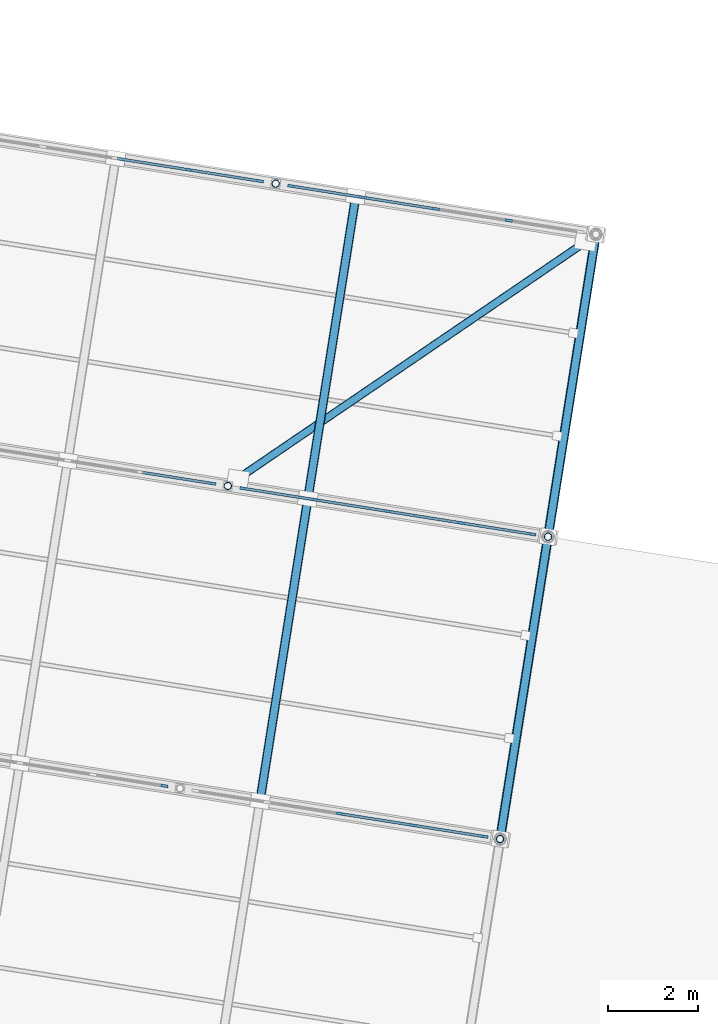
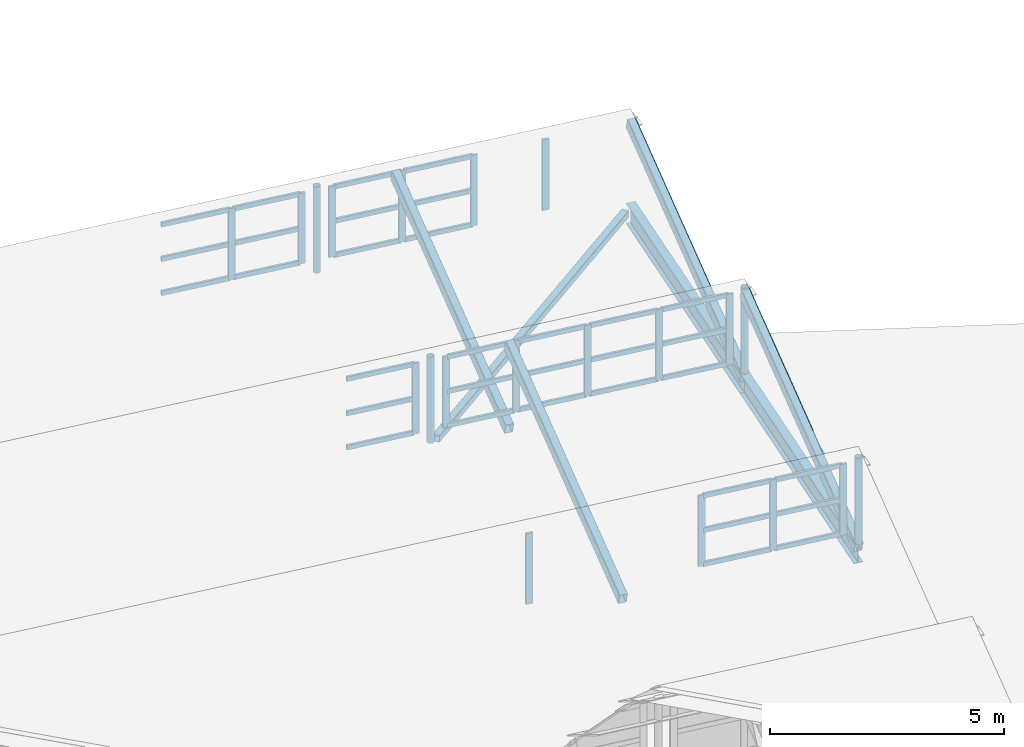
# One storey, part 51 of 65: 58 members, 2 beams, 6 elements without a shape of their own.
"""IFC4 building model written with IfcOpenShell, lengths in metres."""

from ifc_helpers import new_model, si_unit, direction, frame, origin, origin_2d, place, context, subcontext, project, spatial, rectangle, hollow_rectangle, hollow_circle, i_section, extrude, material, material_profile, profile_set, type_object, element, aggregate, save


model = new_model("IFC4")

# Units and contexts
model_context = context("Model", 3, precision=1e-05, world=origin(), true_north=direction((0.0, 1.0)))
body_context = subcontext(model_context, "Body", "Model", "MODEL_VIEW")
ifc_project = project(units=[si_unit("LENGTHUNIT", "METRE"), si_unit("AREAUNIT", "SQUARE_METRE"), si_unit("VOLUMEUNIT", "CUBIC_METRE"), si_unit("PLANEANGLEUNIT", "RADIAN"), si_unit("MASSUNIT", "GRAM", prefix="KILO")], contexts=[model_context])

# Site, building, storey
site_placement = place(None, origin())
site = spatial("IfcSite", under=ifc_project, at=site_placement, CompositionType="ELEMENT")
building_placement = place(site_placement, origin())
building = spatial("IfcBuilding", under=site, at=building_placement, Name="Cinderway Yard Community Centre", CompositionType="ELEMENT")
storey_placement = place(building_placement, frame((0.0, 0.0, 24.300048828125)))
storey = spatial("IfcBuildingStorey", under=building, at=storey_placement, Name="RF", CompositionType="ELEMENT", Elevation=24.300048828125)

# Curtain wall, member
ifc_material_1 = material(Name="Aluminium 6063-T6", Category="aluminium")
curtain_wall_type = type_object("IfcCurtainWallType", Name="ENV-CW-TYPE-23", PredefinedType="USERDEFINED", material=ifc_material_1)
curtain_wall_1_placement = place(storey_placement, origin())
curtain_wall_1 = element("IfcCurtainWall", 1, at=curtain_wall_1_placement, inside=storey, type_object=curtain_wall_type, Name="Sawtooth North-Light Clerestory ENV-CW-RF-ST-0082", ObjectType="GLAZED CURTAIN WALL", PredefinedType="USERDEFINED")
ifc_material_profile_1 = material_profile(ifc_material_1, rectangle(XDim=0.06005859375, YDim=0.159912109375, at=origin_2d()), Name="Aluminium 6063-T6")
ifc_profile_set_1 = profile_set([ifc_material_profile_1], Name="Aluminium 6063-T6")
member_type_1 = type_object("IfcMemberType", Name="ENV-CW-MULL-150", PredefinedType="MULLION", material=ifc_profile_set_1)
member_1_placement = place(storey_placement, frame((136.13232421875, 62.666748046875, -10.199951171875), z_axis=(0.0, 0.0, 1.0), x_axis=(0.156533911189, 0.98767258474, 0.0)))
member_1 = element("IfcMember", 2, at=member_1_placement, type_object=member_type_1, Name="CW-23 mullion 5", PredefinedType="MULLION", context=body_context, shape_type="SweptSolid", body=[
    extrude(rectangle(XDim=0.06005859375, YDim=0.159912109375, at=origin_2d()), origin(), (0.0, 0.0, 1.0), 1.849853515625),
])
aggregate(curtain_wall_1, [member_1])

# Curtain wall, members
curtain_wall_2_placement = place(storey_placement, origin())
curtain_wall_2 = element("IfcCurtainWall", 3, at=curtain_wall_2_placement, inside=storey, type_object=curtain_wall_type, Name="Sawtooth North-Light Clerestory ENV-CW-RF-ST-0083", ObjectType="GLAZED CURTAIN WALL", PredefinedType="USERDEFINED")
member_2_placement = place(storey_placement, frame((140.033447265625, 62.049072265625, -10.199951171875), z_axis=(0.0, 0.0, 1.0), x_axis=(0.15640876877, 0.987692410142, 0.0)))
member_2 = element("IfcMember", 4, at=member_2_placement, type_object=member_type_1, Name="CW-23 mullion 3", PredefinedType="MULLION", context=body_context, shape_type="SweptSolid", body=[
    extrude(rectangle(XDim=0.06005859375, YDim=0.159912109375, at=origin_2d()), origin(), (0.0, 0.0, 1.0), 1.849853515625),
])
member_3_placement = place(storey_placement, frame((141.6533203125, 61.79248046875, -10.199951171875), z_axis=(0.0, 0.0, 1.0), x_axis=(0.15640876877, 0.987692410142, 0.0)))
member_3 = element("IfcMember", 5, at=member_3_placement, type_object=member_type_1, Name="CW-23 mullion 4", PredefinedType="MULLION", context=body_context, shape_type="SweptSolid", body=[
    extrude(rectangle(XDim=0.06005859375, YDim=0.159912109375, at=origin_2d()), origin(), (0.0, 0.0, 1.0), 1.849853515625),
])
member_4_placement = place(storey_placement, frame((143.243408203125, 61.540771484375, -10.199951171875), z_axis=(0.0, 0.0, 1.0), x_axis=(0.15640876877, 0.987692410142, 0.0)))
member_4 = element("IfcMember", 6, at=member_4_placement, type_object=member_type_1, Name="CW-23 mullion 5", PredefinedType="MULLION", context=body_context, shape_type="SweptSolid", body=[
    extrude(rectangle(XDim=0.06005859375, YDim=0.159912109375, at=origin_2d()), origin(), (0.0, 0.0, 1.0), 1.849853515625),
])

# Curtain wall, member
curtain_wall_3_placement = place(storey_placement, origin())
curtain_wall_3 = element("IfcCurtainWall", 7, at=curtain_wall_3_placement, inside=storey, type_object=curtain_wall_type, Name="Sawtooth North-Light Clerestory ENV-CW-RF-ST-0085", ObjectType="GLAZED CURTAIN WALL", PredefinedType="USERDEFINED")
member_5_placement = place(storey_placement, frame((137.1953125, 69.3837890625, -10.199951171875), z_axis=(0.0, 0.0, 1.0), x_axis=(0.15640876877, 0.987692410142, 0.0)))
member_5 = element("IfcMember", 8, at=member_5_placement, type_object=member_type_1, Name="CW-23 mullion 5", PredefinedType="MULLION", context=body_context, shape_type="SweptSolid", body=[
    extrude(rectangle(XDim=0.06005859375, YDim=0.159912109375, at=origin_2d()), origin(), (0.0, 0.0, 1.0), 1.849853515625),
])

# Curtain wall, members
curtain_wall_4_placement = place(storey_placement, origin())
curtain_wall_4 = element("IfcCurtainWall", 9, at=curtain_wall_4_placement, inside=storey, type_object=curtain_wall_type, Name="Sawtooth North-Light Clerestory ENV-CW-RF-ST-0086", ObjectType="GLAZED CURTAIN WALL", PredefinedType="USERDEFINED")
member_6_placement = place(storey_placement, frame((137.88671875, 69.2744140625, -10.199951171875), z_axis=(0.0, 0.0, 1.0), x_axis=(0.156533911189, 0.98767258474, 0.0)))
member_6 = element("IfcMember", 10, at=member_6_placement, type_object=member_type_1, Name="CW-23 mullion 1", PredefinedType="MULLION", context=body_context, shape_type="SweptSolid", body=[
    extrude(rectangle(XDim=0.06005859375, YDim=0.159912109375, at=origin_2d()), origin(), (0.0, 0.0, 1.0), 1.849853515625),
])
member_7_placement = place(storey_placement, frame((139.47705078125, 69.022216796875, -10.199951171875), z_axis=(0.0, 0.0, 1.0), x_axis=(0.156533911189, 0.98767258474, 0.0)))
member_7 = element("IfcMember", 11, at=member_7_placement, type_object=member_type_1, Name="CW-23 mullion 2", PredefinedType="MULLION", context=body_context, shape_type="SweptSolid", body=[
    extrude(rectangle(XDim=0.06005859375, YDim=0.159912109375, at=origin_2d()), origin(), (0.0, 0.0, 1.0), 1.849853515625),
])
member_8_placement = place(storey_placement, frame((141.096923828125, 68.765380859375, -10.199951171875), z_axis=(0.0, 0.0, 1.0), x_axis=(0.156533911189, 0.98767258474, 0.0)))
member_8 = element("IfcMember", 12, at=member_8_placement, type_object=member_type_1, Name="CW-23 mullion 3", PredefinedType="MULLION", context=body_context, shape_type="SweptSolid", body=[
    extrude(rectangle(XDim=0.06005859375, YDim=0.159912109375, at=origin_2d()), origin(), (0.0, 0.0, 1.0), 1.849853515625),
])
member_9_placement = place(storey_placement, frame((142.717041015625, 68.5087890625, -10.199951171875), z_axis=(0.0, 0.0, 1.0), x_axis=(0.156533911189, 0.98767258474, 0.0)))
member_9 = element("IfcMember", 13, at=member_9_placement, type_object=member_type_1, Name="CW-23 mullion 4", PredefinedType="MULLION", context=body_context, shape_type="SweptSolid", body=[
    extrude(rectangle(XDim=0.06005859375, YDim=0.159912109375, at=origin_2d()), origin(), (0.0, 0.0, 1.0), 1.849853515625),
])
member_10_placement = place(storey_placement, frame((144.307373046875, 68.256591796875, -10.199951171875), z_axis=(0.0, 0.0, 1.0), x_axis=(0.156533911189, 0.98767258474, 0.0)))
member_10 = element("IfcMember", 14, at=member_10_placement, type_object=member_type_1, Name="CW-23 mullion 5", PredefinedType="MULLION", context=body_context, shape_type="SweptSolid", body=[
    extrude(rectangle(XDim=0.06005859375, YDim=0.159912109375, at=origin_2d()), origin(), (0.0, 0.0, 1.0), 1.849853515625),
])

curtain_wall_5_placement = place(storey_placement, origin())
curtain_wall_5 = element("IfcCurtainWall", 15, at=curtain_wall_5_placement, inside=storey, type_object=curtain_wall_type, Name="Sawtooth North-Light Clerestory ENV-CW-RF-ST-0088", ObjectType="GLAZED CURTAIN WALL", PredefinedType="USERDEFINED")
member_11_placement = place(storey_placement, frame((136.669189453125, 76.3515625, -10.199951171875), z_axis=(0.0, 0.0, 1.0), x_axis=(0.15640876877, 0.987692410142, 0.0)))
member_11 = element("IfcMember", 16, at=member_11_placement, type_object=member_type_1, Name="CW-23 mullion 4", PredefinedType="MULLION", context=body_context, shape_type="SweptSolid", body=[
    extrude(rectangle(XDim=0.06005859375, YDim=0.159912109375, at=origin_2d()), origin(), (0.0, 0.0, 1.0), 1.849853515625),
])
member_12_placement = place(storey_placement, frame((138.25927734375, 76.099609375, -10.199951171875), z_axis=(0.0, 0.0, 1.0), x_axis=(0.15640876877, 0.987692410142, 0.0)))
member_12 = element("IfcMember", 17, at=member_12_placement, type_object=member_type_1, Name="CW-23 mullion 5", PredefinedType="MULLION", context=body_context, shape_type="SweptSolid", body=[
    extrude(rectangle(XDim=0.06005859375, YDim=0.159912109375, at=origin_2d()), origin(), (0.0, 0.0, 1.0), 1.849853515625),
])

curtain_wall_6_placement = place(storey_placement, origin())
curtain_wall_6 = element("IfcCurtainWall", 18, at=curtain_wall_6_placement, inside=storey, type_object=curtain_wall_type, Name="Sawtooth North-Light Clerestory ENV-CW-RF-ST-0089", ObjectType="GLAZED CURTAIN WALL", PredefinedType="USERDEFINED")
member_13_placement = place(storey_placement, frame((138.95068359375, 75.990234375, -10.199951171875), z_axis=(0.0, 0.0, 1.0), x_axis=(0.156385221956, 0.987696138675, 0.0)))
member_13 = element("IfcMember", 19, at=member_13_placement, type_object=member_type_1, Name="CW-23 mullion 1", PredefinedType="MULLION", context=body_context, shape_type="SweptSolid", body=[
    extrude(rectangle(XDim=0.06005859375, YDim=0.159912109375, at=origin_2d()), origin(), (0.0, 0.0, 1.0), 1.849853515625),
])
member_14_placement = place(storey_placement, frame((140.541015625, 75.738525390625, -10.199951171875), z_axis=(0.0, 0.0, 1.0), x_axis=(0.156385221956, 0.987696138675, 0.0)))
member_14 = element("IfcMember", 20, at=member_14_placement, type_object=member_type_1, Name="CW-23 mullion 2", PredefinedType="MULLION", context=body_context, shape_type="SweptSolid", body=[
    extrude(rectangle(XDim=0.06005859375, YDim=0.159912109375, at=origin_2d()), origin(), (0.0, 0.0, 1.0), 1.849853515625),
])
member_15_placement = place(storey_placement, frame((142.160888671875, 75.48193359375, -10.199951171875), z_axis=(0.0, 0.0, 1.0), x_axis=(0.156385221956, 0.987696138675, 0.0)))
member_15 = element("IfcMember", 21, at=member_15_placement, type_object=member_type_1, Name="CW-23 mullion 3", PredefinedType="MULLION", context=body_context, shape_type="SweptSolid", body=[
    extrude(rectangle(XDim=0.06005859375, YDim=0.159912109375, at=origin_2d()), origin(), (0.0, 0.0, 1.0), 1.849853515625),
])
member_16_placement = place(storey_placement, frame((143.781005859375, 75.2255859375, -10.199951171875), z_axis=(0.0, 0.0, 1.0), x_axis=(0.156385221956, 0.987696138675, 0.0)))
member_16 = element("IfcMember", 22, at=member_16_placement, type_object=member_type_1, Name="CW-23 mullion 4", PredefinedType="MULLION", context=body_context, shape_type="SweptSolid", body=[
    extrude(rectangle(XDim=0.06005859375, YDim=0.159912109375, at=origin_2d()), origin(), (0.0, 0.0, 1.0), 1.849853515625),
])

# Member
ifc_material_profile_2 = material_profile(ifc_material_1, rectangle(XDim=0.06005859375, YDim=0.1201171875, at=origin_2d()), Name="Aluminium 6063-T6")
ifc_profile_set_2 = profile_set([ifc_material_profile_2], Name="Aluminium 6063-T6")
member_type_2 = type_object("IfcMemberType", Name="ENV-CW-TRAN-110", PredefinedType="USERDEFINED", material=ifc_profile_set_2)
member_17_placement = place(storey_placement, frame((140.063232421875, 62.044189453125, -10.170166015625), z_axis=(0.987693950393, -0.156399042059, 0.0), x_axis=(0.156399042059, 0.987693950393, 0.0)))
member_17 = element("IfcMember", 23, at=member_17_placement, type_object=member_type_2, Name="CW-23 transom 3.1", ObjectType="TRANSOM", PredefinedType="USERDEFINED", context=body_context, shape_type="SweptSolid", body=[
    extrude(rectangle(XDim=0.06005859375, YDim=0.1201171875, at=origin_2d()), origin(), (0.0, 0.0, 1.0), 1.579833984375),
])

member_18_placement = place(storey_placement, frame((140.063232421875, 62.044189453125, -9.280029296875), z_axis=(0.987693950393, -0.156399042059, 0.0), x_axis=(0.156399042059, 0.987693950393, 0.0)))
member_18 = element("IfcMember", 24, at=member_18_placement, type_object=member_type_2, Name="CW-23 transom 3.2", ObjectType="TRANSOM", PredefinedType="USERDEFINED", context=body_context, shape_type="SweptSolid", body=[
    extrude(rectangle(XDim=0.06005859375, YDim=0.1201171875, at=origin_2d()), origin(), (0.0, 0.0, 1.0), 1.579833984375),
])

member_19_placement = place(storey_placement, frame((140.063232421875, 62.044189453125, -8.380126953125), z_axis=(0.987693950393, -0.156399042059, 0.0), x_axis=(0.156399042059, 0.987693950393, 0.0)))
member_19 = element("IfcMember", 25, at=member_19_placement, type_object=member_type_2, Name="CW-23 transom 3.3", ObjectType="TRANSOM", PredefinedType="USERDEFINED", context=body_context, shape_type="SweptSolid", body=[
    extrude(rectangle(XDim=0.06005859375, YDim=0.1201171875, at=origin_2d()), origin(), (0.0, 0.0, 1.0), 1.579833984375),
])

member_20_placement = place(storey_placement, frame((141.682861328125, 61.787841796875, -10.170166015625), z_axis=(0.987690055006, -0.15642364029, 0.0), x_axis=(0.15642364029, 0.987690055006, 0.0)))
member_20 = element("IfcMember", 26, at=member_20_placement, type_object=member_type_2, Name="CW-23 transom 4.1", ObjectType="TRANSOM", PredefinedType="USERDEFINED", context=body_context, shape_type="SweptSolid", body=[
    extrude(rectangle(XDim=0.06005859375, YDim=0.1201171875, at=origin_2d()), origin(), (0.0, 0.0, 1.0), 1.5498046875),
])

member_21_placement = place(storey_placement, frame((141.682861328125, 61.787841796875, -9.280029296875), z_axis=(0.987690055006, -0.15642364029, 0.0), x_axis=(0.15642364029, 0.987690055006, 0.0)))
member_21 = element("IfcMember", 27, at=member_21_placement, type_object=member_type_2, Name="CW-23 transom 4.2", ObjectType="TRANSOM", PredefinedType="USERDEFINED", context=body_context, shape_type="SweptSolid", body=[
    extrude(rectangle(XDim=0.06005859375, YDim=0.1201171875, at=origin_2d()), origin(), (0.0, 0.0, 1.0), 1.5498046875),
])

member_22_placement = place(storey_placement, frame((141.682861328125, 61.787841796875, -8.380126953125), z_axis=(0.987690055006, -0.15642364029, 0.0), x_axis=(0.15642364029, 0.987690055006, 0.0)))
member_22 = element("IfcMember", 28, at=member_22_placement, type_object=member_type_2, Name="CW-23 transom 4.3", ObjectType="TRANSOM", PredefinedType="USERDEFINED", context=body_context, shape_type="SweptSolid", body=[
    extrude(rectangle(XDim=0.06005859375, YDim=0.1201171875, at=origin_2d()), origin(), (0.0, 0.0, 1.0), 1.5498046875),
])

aggregate(curtain_wall_2, [member_2, member_3, member_4, member_17, member_18, member_19, member_20, member_21, member_22])

member_23_placement = place(storey_placement, frame((135.634765625, 69.630859375, -10.170166015625), z_axis=(0.987693908517, -0.156399306515, 0.0), x_axis=(0.156399306515, 0.987693908517, 0.0)))
member_23 = element("IfcMember", 29, at=member_23_placement, type_object=member_type_2, Name="CW-23 transom 4.1", ObjectType="TRANSOM", PredefinedType="USERDEFINED", context=body_context, shape_type="SweptSolid", body=[
    extrude(rectangle(XDim=0.06005859375, YDim=0.1201171875, at=origin_2d()), origin(), (0.0, 0.0, 1.0), 1.550048828125),
])

member_24_placement = place(storey_placement, frame((135.634765625, 69.630859375, -9.280029296875), z_axis=(0.987693908517, -0.156399306515, 0.0), x_axis=(0.156399306515, 0.987693908517, 0.0)))
member_24 = element("IfcMember", 30, at=member_24_placement, type_object=member_type_2, Name="CW-23 transom 4.2", ObjectType="TRANSOM", PredefinedType="USERDEFINED", context=body_context, shape_type="SweptSolid", body=[
    extrude(rectangle(XDim=0.06005859375, YDim=0.1201171875, at=origin_2d()), origin(), (0.0, 0.0, 1.0), 1.550048828125),
])

member_25_placement = place(storey_placement, frame((135.634765625, 69.630859375, -8.380126953125), z_axis=(0.987693908517, -0.156399306515, 0.0), x_axis=(0.156399306515, 0.987693908517, 0.0)))
member_25 = element("IfcMember", 31, at=member_25_placement, type_object=member_type_2, Name="CW-23 transom 4.3", ObjectType="TRANSOM", PredefinedType="USERDEFINED", context=body_context, shape_type="SweptSolid", body=[
    extrude(rectangle(XDim=0.06005859375, YDim=0.1201171875, at=origin_2d()), origin(), (0.0, 0.0, 1.0), 1.550048828125),
])

aggregate(curtain_wall_3, [member_5, member_23, member_24, member_25])

member_26_placement = place(storey_placement, frame((137.916259765625, 69.26953125, -10.170166015625), z_axis=(0.987669567129, -0.156552950044, 0.0), x_axis=(0.156552950044, 0.987669567129, 0.0)))
member_26 = element("IfcMember", 32, at=member_26_placement, type_object=member_type_2, Name="CW-23 transom 1.1", ObjectType="TRANSOM", PredefinedType="USERDEFINED", context=body_context, shape_type="SweptSolid", body=[
    extrude(rectangle(XDim=0.06005859375, YDim=0.1201171875, at=origin_2d()), origin(), (0.0, 0.0, 1.0), 1.550048828125),
])

member_27_placement = place(storey_placement, frame((137.916259765625, 69.26953125, -9.280029296875), z_axis=(0.987669567129, -0.156552950044, 0.0), x_axis=(0.156552950044, 0.987669567129, 0.0)))
member_27 = element("IfcMember", 33, at=member_27_placement, type_object=member_type_2, Name="CW-23 transom 1.2", ObjectType="TRANSOM", PredefinedType="USERDEFINED", context=body_context, shape_type="SweptSolid", body=[
    extrude(rectangle(XDim=0.06005859375, YDim=0.1201171875, at=origin_2d()), origin(), (0.0, 0.0, 1.0), 1.550048828125),
])

member_28_placement = place(storey_placement, frame((137.916259765625, 69.26953125, -8.380126953125), z_axis=(0.987669567129, -0.156552950044, 0.0), x_axis=(0.156552950044, 0.987669567129, 0.0)))
member_28 = element("IfcMember", 34, at=member_28_placement, type_object=member_type_2, Name="CW-23 transom 1.3", ObjectType="TRANSOM", PredefinedType="USERDEFINED", context=body_context, shape_type="SweptSolid", body=[
    extrude(rectangle(XDim=0.06005859375, YDim=0.1201171875, at=origin_2d()), origin(), (0.0, 0.0, 1.0), 1.550048828125),
])

member_29_placement = place(storey_placement, frame((139.506591796875, 69.017578125, -10.170166015625), z_axis=(0.98767763775, -0.15650202519, 0.0), x_axis=(0.15650202519, 0.98767763775, 0.0)))
member_29 = element("IfcMember", 35, at=member_29_placement, type_object=member_type_2, Name="CW-23 transom 2.1", ObjectType="TRANSOM", PredefinedType="USERDEFINED", context=body_context, shape_type="SweptSolid", body=[
    extrude(rectangle(XDim=0.06005859375, YDim=0.1201171875, at=origin_2d()), origin(), (0.0, 0.0, 1.0), 1.580322265625),
])

member_30_placement = place(storey_placement, frame((139.506591796875, 69.017578125, -9.280029296875), z_axis=(0.98767763775, -0.15650202519, 0.0), x_axis=(0.15650202519, 0.98767763775, 0.0)))
member_30 = element("IfcMember", 36, at=member_30_placement, type_object=member_type_2, Name="CW-23 transom 2.2", ObjectType="TRANSOM", PredefinedType="USERDEFINED", context=body_context, shape_type="SweptSolid", body=[
    extrude(rectangle(XDim=0.06005859375, YDim=0.1201171875, at=origin_2d()), origin(), (0.0, 0.0, 1.0), 1.580322265625),
])

member_31_placement = place(storey_placement, frame((139.506591796875, 69.017578125, -8.380126953125), z_axis=(0.98767763775, -0.15650202519, 0.0), x_axis=(0.15650202519, 0.98767763775, 0.0)))
member_31 = element("IfcMember", 37, at=member_31_placement, type_object=member_type_2, Name="CW-23 transom 2.3", ObjectType="TRANSOM", PredefinedType="USERDEFINED", context=body_context, shape_type="SweptSolid", body=[
    extrude(rectangle(XDim=0.06005859375, YDim=0.1201171875, at=origin_2d()), origin(), (0.0, 0.0, 1.0), 1.580322265625),
])

member_32_placement = place(storey_placement, frame((141.126708984375, 68.7607421875, -10.170166015625), z_axis=(0.98767385289, -0.156525909414, 0.0), x_axis=(0.156525909414, 0.98767385289, 0.0)))
member_32 = element("IfcMember", 38, at=member_32_placement, type_object=member_type_2, Name="CW-23 transom 3.1", ObjectType="TRANSOM", PredefinedType="USERDEFINED", context=body_context, shape_type="SweptSolid", body=[
    extrude(rectangle(XDim=0.06005859375, YDim=0.1201171875, at=origin_2d()), origin(), (0.0, 0.0, 1.0), 1.580078125),
])

member_33_placement = place(storey_placement, frame((141.126708984375, 68.7607421875, -9.280029296875), z_axis=(0.98767385289, -0.156525909414, 0.0), x_axis=(0.156525909414, 0.98767385289, 0.0)))
member_33 = element("IfcMember", 39, at=member_33_placement, type_object=member_type_2, Name="CW-23 transom 3.2", ObjectType="TRANSOM", PredefinedType="USERDEFINED", context=body_context, shape_type="SweptSolid", body=[
    extrude(rectangle(XDim=0.06005859375, YDim=0.1201171875, at=origin_2d()), origin(), (0.0, 0.0, 1.0), 1.580078125),
])

member_34_placement = place(storey_placement, frame((141.126708984375, 68.7607421875, -8.380126953125), z_axis=(0.98767385289, -0.156525909414, 0.0), x_axis=(0.156525909414, 0.98767385289, 0.0)))
member_34 = element("IfcMember", 40, at=member_34_placement, type_object=member_type_2, Name="CW-23 transom 3.3", ObjectType="TRANSOM", PredefinedType="USERDEFINED", context=body_context, shape_type="SweptSolid", body=[
    extrude(rectangle(XDim=0.06005859375, YDim=0.1201171875, at=origin_2d()), origin(), (0.0, 0.0, 1.0), 1.580078125),
])

member_35_placement = place(storey_placement, frame((142.74658203125, 68.504150390625, -10.170166015625), z_axis=(0.987673426318, -0.156528601046, 0.0), x_axis=(0.156528601046, 0.987673426318, 0.0)))
member_35 = element("IfcMember", 41, at=member_35_placement, type_object=member_type_2, Name="CW-23 transom 4.1", ObjectType="TRANSOM", PredefinedType="USERDEFINED", context=body_context, shape_type="SweptSolid", body=[
    extrude(rectangle(XDim=0.06005859375, YDim=0.1201171875, at=origin_2d()), origin(), (0.0, 0.0, 1.0), 1.55029296875),
])

member_36_placement = place(storey_placement, frame((142.74658203125, 68.504150390625, -9.280029296875), z_axis=(0.987673426318, -0.156528601046, 0.0), x_axis=(0.156528601046, 0.987673426318, 0.0)))
member_36 = element("IfcMember", 42, at=member_36_placement, type_object=member_type_2, Name="CW-23 transom 4.2", ObjectType="TRANSOM", PredefinedType="USERDEFINED", context=body_context, shape_type="SweptSolid", body=[
    extrude(rectangle(XDim=0.06005859375, YDim=0.1201171875, at=origin_2d()), origin(), (0.0, 0.0, 1.0), 1.55029296875),
])

member_37_placement = place(storey_placement, frame((142.74658203125, 68.504150390625, -8.380126953125), z_axis=(0.987673426318, -0.156528601046, 0.0), x_axis=(0.156528601046, 0.987673426318, 0.0)))
member_37 = element("IfcMember", 43, at=member_37_placement, type_object=member_type_2, Name="CW-23 transom 4.3", ObjectType="TRANSOM", PredefinedType="USERDEFINED", context=body_context, shape_type="SweptSolid", body=[
    extrude(rectangle(XDim=0.06005859375, YDim=0.1201171875, at=origin_2d()), origin(), (0.0, 0.0, 1.0), 1.55029296875),
])

aggregate(curtain_wall_4, [member_6, member_7, member_8, member_9, member_10, member_26, member_27, member_28, member_29, member_30, member_31, member_32, member_33, member_34, member_35, member_36, member_37])

member_38_placement = place(storey_placement, frame((135.0791015625, 76.603271484375, -10.170166015625), z_axis=(0.987697729788, -0.156375172488, 0.0), x_axis=(0.156375172488, 0.987697729788, 0.0)))
member_38 = element("IfcMember", 44, at=member_38_placement, type_object=member_type_2, Name="CW-23 transom 3.1", ObjectType="TRANSOM", PredefinedType="USERDEFINED", context=body_context, shape_type="SweptSolid", body=[
    extrude(rectangle(XDim=0.06005859375, YDim=0.1201171875, at=origin_2d()), origin(), (0.0, 0.0, 1.0), 1.580078125),
])

member_39_placement = place(storey_placement, frame((135.0791015625, 76.603271484375, -9.280029296875), z_axis=(0.987697729788, -0.156375172488, 0.0), x_axis=(0.156375172488, 0.987697729788, 0.0)))
member_39 = element("IfcMember", 45, at=member_39_placement, type_object=member_type_2, Name="CW-23 transom 3.2", ObjectType="TRANSOM", PredefinedType="USERDEFINED", context=body_context, shape_type="SweptSolid", body=[
    extrude(rectangle(XDim=0.06005859375, YDim=0.1201171875, at=origin_2d()), origin(), (0.0, 0.0, 1.0), 1.580078125),
])

member_40_placement = place(storey_placement, frame((135.0791015625, 76.603271484375, -8.380126953125), z_axis=(0.987697729788, -0.156375172488, 0.0), x_axis=(0.156375172488, 0.987697729788, 0.0)))
member_40 = element("IfcMember", 46, at=member_40_placement, type_object=member_type_2, Name="CW-23 transom 3.3", ObjectType="TRANSOM", PredefinedType="USERDEFINED", context=body_context, shape_type="SweptSolid", body=[
    extrude(rectangle(XDim=0.06005859375, YDim=0.1201171875, at=origin_2d()), origin(), (0.0, 0.0, 1.0), 1.580078125),
])

member_41_placement = place(storey_placement, frame((136.698974609375, 76.346923828125, -10.170166015625), z_axis=(0.987690055006, -0.15642364029, 0.0), x_axis=(0.15642364029, 0.987690055006, 0.0)))
member_41 = element("IfcMember", 47, at=member_41_placement, type_object=member_type_2, Name="CW-23 transom 4.1", ObjectType="TRANSOM", PredefinedType="USERDEFINED", context=body_context, shape_type="SweptSolid", body=[
    extrude(rectangle(XDim=0.06005859375, YDim=0.1201171875, at=origin_2d()), origin(), (0.0, 0.0, 1.0), 1.5498046875),
])

member_42_placement = place(storey_placement, frame((136.698974609375, 76.346923828125, -9.280029296875), z_axis=(0.987690055006, -0.15642364029, 0.0), x_axis=(0.15642364029, 0.987690055006, 0.0)))
member_42 = element("IfcMember", 48, at=member_42_placement, type_object=member_type_2, Name="CW-23 transom 4.2", ObjectType="TRANSOM", PredefinedType="USERDEFINED", context=body_context, shape_type="SweptSolid", body=[
    extrude(rectangle(XDim=0.06005859375, YDim=0.1201171875, at=origin_2d()), origin(), (0.0, 0.0, 1.0), 1.5498046875),
])

member_43_placement = place(storey_placement, frame((136.698974609375, 76.346923828125, -8.380126953125), z_axis=(0.987690055006, -0.15642364029, 0.0), x_axis=(0.15642364029, 0.987690055006, 0.0)))
member_43 = element("IfcMember", 49, at=member_43_placement, type_object=member_type_2, Name="CW-23 transom 4.3", ObjectType="TRANSOM", PredefinedType="USERDEFINED", context=body_context, shape_type="SweptSolid", body=[
    extrude(rectangle(XDim=0.06005859375, YDim=0.1201171875, at=origin_2d()), origin(), (0.0, 0.0, 1.0), 1.5498046875),
])

aggregate(curtain_wall_5, [member_11, member_12, member_38, member_39, member_40, member_41, member_42, member_43])

member_44_placement = place(storey_placement, frame((138.980224609375, 75.985595703125, -10.170166015625), z_axis=(0.98769776023, -0.156374980215, 0.0), x_axis=(0.156374980215, 0.98769776023, 0.0)))
member_44 = element("IfcMember", 50, at=member_44_placement, type_object=member_type_2, Name="CW-23 transom 1.1", ObjectType="TRANSOM", PredefinedType="USERDEFINED", context=body_context, shape_type="SweptSolid", body=[
    extrude(rectangle(XDim=0.06005859375, YDim=0.1201171875, at=origin_2d()), origin(), (0.0, 0.0, 1.0), 1.55029296875),
])

member_45_placement = place(storey_placement, frame((138.980224609375, 75.985595703125, -9.280029296875), z_axis=(0.98769776023, -0.156374980215, 0.0), x_axis=(0.156374980215, 0.98769776023, 0.0)))
member_45 = element("IfcMember", 51, at=member_45_placement, type_object=member_type_2, Name="CW-23 transom 1.2", ObjectType="TRANSOM", PredefinedType="USERDEFINED", context=body_context, shape_type="SweptSolid", body=[
    extrude(rectangle(XDim=0.06005859375, YDim=0.1201171875, at=origin_2d()), origin(), (0.0, 0.0, 1.0), 1.55029296875),
])

member_46_placement = place(storey_placement, frame((138.980224609375, 75.985595703125, -8.380126953125), z_axis=(0.98769776023, -0.156374980215, 0.0), x_axis=(0.156374980215, 0.98769776023, 0.0)))
member_46 = element("IfcMember", 52, at=member_46_placement, type_object=member_type_2, Name="CW-23 transom 1.3", ObjectType="TRANSOM", PredefinedType="USERDEFINED", context=body_context, shape_type="SweptSolid", body=[
    extrude(rectangle(XDim=0.06005859375, YDim=0.1201171875, at=origin_2d()), origin(), (0.0, 0.0, 1.0), 1.55029296875),
])

member_47_placement = place(storey_placement, frame((140.570556640625, 75.73388671875, -10.170166015625), z_axis=(0.98767763775, -0.15650202519, 0.0), x_axis=(0.15650202519, 0.98767763775, 0.0)))
member_47 = element("IfcMember", 53, at=member_47_placement, type_object=member_type_2, Name="CW-23 transom 2.1", ObjectType="TRANSOM", PredefinedType="USERDEFINED", context=body_context, shape_type="SweptSolid", body=[
    extrude(rectangle(XDim=0.06005859375, YDim=0.1201171875, at=origin_2d()), origin(), (0.0, 0.0, 1.0), 1.580322265625),
])

member_48_placement = place(storey_placement, frame((140.570556640625, 75.73388671875, -9.280029296875), z_axis=(0.98767763775, -0.15650202519, 0.0), x_axis=(0.15650202519, 0.98767763775, 0.0)))
member_48 = element("IfcMember", 54, at=member_48_placement, type_object=member_type_2, Name="CW-23 transom 2.2", ObjectType="TRANSOM", PredefinedType="USERDEFINED", context=body_context, shape_type="SweptSolid", body=[
    extrude(rectangle(XDim=0.06005859375, YDim=0.1201171875, at=origin_2d()), origin(), (0.0, 0.0, 1.0), 1.580322265625),
])

member_49_placement = place(storey_placement, frame((140.570556640625, 75.73388671875, -8.380126953125), z_axis=(0.98767763775, -0.15650202519, 0.0), x_axis=(0.15650202519, 0.98767763775, 0.0)))
member_49 = element("IfcMember", 55, at=member_49_placement, type_object=member_type_2, Name="CW-23 transom 2.3", ObjectType="TRANSOM", PredefinedType="USERDEFINED", context=body_context, shape_type="SweptSolid", body=[
    extrude(rectangle(XDim=0.06005859375, YDim=0.1201171875, at=origin_2d()), origin(), (0.0, 0.0, 1.0), 1.580322265625),
])

aggregate(curtain_wall_6, [member_13, member_14, member_15, member_16, member_44, member_45, member_46, member_47, member_48, member_49])

# Beams
ifc_material_2 = material(Name="Steel S355", Category="steel")
ifc_material_profile_3 = material_profile(ifc_material_2, i_section(OverallWidth=0.2109375, OverallDepth=0.5390625, WebThickness=0.010986328125, FlangeThickness=0.017333984375, FilletRadius=0.013916015625, at=origin_2d()), Name="Steel S355")
ifc_profile_set_3 = profile_set([ifc_material_profile_3], Name="Steel S355")
beam_type = type_object("IfcBeamType", Name="STR-BM-W530X109", PredefinedType="BEAM", material=ifc_profile_set_3)
beam_1_placement = place(storey_placement, frame((143.589111328125, 61.486083984375, -10.77001953125), z_axis=(0.156475124325, 0.987681899939, 0.0), x_axis=(-0.987681899939, 0.156475124325, 0.0)))
element("IfcBeam", 56, at=beam_1_placement, inside=storey, type_object=beam_type, Name="Sports eave beam E STR-BM-RF-SB06-1023", PredefinedType="BEAM", context=body_context, shape_type="SweptSolid", body=[
    extrude(i_section(OverallWidth=0.2109375, OverallDepth=0.5390625, WebThickness=0.010986328125, FlangeThickness=0.017333984375, FilletRadius=0.013916015625, at=origin_2d()), origin(), (0.0, 0.0, 1.0), 6.799560546875),
])
beam_2_placement = place(storey_placement, frame((144.653076171875, 68.201904296875, -10.77001953125), z_axis=(0.156447383815, 0.987686294376, 0.0), x_axis=(-0.987686294376, 0.156447383815, 0.0)))
element("IfcBeam", 57, at=beam_2_placement, inside=storey, type_object=beam_type, Name="Sports eave beam E STR-BM-RF-SB06-1026", PredefinedType="BEAM", context=body_context, shape_type="SweptSolid", body=[
    extrude(i_section(OverallWidth=0.2109375, OverallDepth=0.5390625, WebThickness=0.010986328125, FlangeThickness=0.017333984375, FilletRadius=0.013916015625, at=origin_2d()), origin(), (0.0, 0.0, 1.0), 6.80078125),
])

# Members
ifc_material_profile_4 = material_profile(ifc_material_2, hollow_rectangle(XDim=0.179931640625, YDim=0.179931640625, WallThickness=0.010009765625, InnerFilletRadius=0.010009765625, OuterFilletRadius=0.02001953125, at=origin_2d()), Name="Steel S355")
ifc_profile_set_4 = profile_set([ifc_material_profile_4], Name="Steel S355")
member_type_3 = type_object("IfcMemberType", Name="STR-MEM-BRACE-180", PredefinedType="BRACE", material=ifc_profile_set_4)
member_50_placement = place(storey_placement, frame((137.77001953125, 69.4951171875, -10.60009765625), z_axis=(0.826498830084, 0.562938437016, 0.0), x_axis=(-0.562938437016, 0.826498830084, 0.0)))
element("IfcMember", 58, at=member_50_placement, inside=storey, type_object=member_type_3, Name="Roof plane diagonal brace B6-E", PredefinedType="BRACE", context=body_context, shape_type="SweptSolid", body=[
    extrude(hollow_rectangle(XDim=0.179931640625, YDim=0.179931640625, WallThickness=0.010009765625, InnerFilletRadius=0.010009765625, OuterFilletRadius=0.02001953125, at=origin_2d()), origin(), (0.0, 0.0, 1.0), 9.338134765625),
])
ifc_material_profile_5 = material_profile(ifc_material_2, hollow_rectangle(XDim=0.199951171875, YDim=0.300048828125, WallThickness=0.012451171875, InnerFilletRadius=0.012451171875, OuterFilletRadius=0.02490234375, at=origin_2d()), Name="Steel S355")
ifc_profile_set_5 = profile_set([ifc_material_profile_5], Name="Steel S355")
member_type_4 = type_object("IfcMemberType", Name="STR-MEM-RAFTER-300", PredefinedType="RAFTER", material=ifc_profile_set_5)
for number, where, z_axis, x_axis, name in (
    (59, (138.256103515625, 62.3310546875, -10.6201171875), (0.148738439938, 0.93974408458, 0.307827763501), (-0.987704964315, 0.156329470887, 0.0), "Sawtooth raked rafter B5-162"),
    (60, (143.589111328125, 61.486083984375, -10.6201171875), (0.148876837345, 0.939720982492, 0.30783138626), (-0.987681899939, 0.156475124325, 0.0), "Sawtooth raked rafter B5-216"),
    (61, (139.319091796875, 69.047119140625, -10.6201171875), (0.148876837345, 0.939720982492, 0.30783138626), (-0.987681899939, 0.156475124325, 0.0), "Sawtooth raked rafter B6-162"),
):
    element("IfcMember", number, at=place(storey_placement, frame(where, z_axis=z_axis, x_axis=x_axis)), inside=storey, type_object=member_type_4, Name=name, PredefinedType="RAFTER", context=body_context, shape_type="SweptSolid", body=[
        extrude(hollow_rectangle(XDim=0.199951171875, YDim=0.300048828125, WallThickness=0.012451171875, InnerFilletRadius=0.012451171875, OuterFilletRadius=0.02490234375, at=origin_2d()), origin(), (0.0, 0.0, 1.0), 7.146728515625),
    ])
member_51_placement = place(storey_placement, frame((144.653076171875, 68.201904296875, -10.6201171875), z_axis=(0.148852944335, 0.939740949398, 0.307781982882), x_axis=(-0.987686294376, 0.156447383815, 0.0)))
element("IfcMember", 62, at=member_51_placement, inside=storey, type_object=member_type_4, Name="Sawtooth raked rafter B6-216", PredefinedType="RAFTER", context=body_context, shape_type="SweptSolid", body=[
    extrude(hollow_rectangle(XDim=0.199951171875, YDim=0.300048828125, WallThickness=0.012451171875, InnerFilletRadius=0.012451171875, OuterFilletRadius=0.02490234375, at=origin_2d()), origin(), (0.0, 0.0, 1.0), 7.147705078125),
])
ifc_material_profile_6 = material_profile(ifc_material_2, hollow_circle(Radius=0.084228515625, WallThickness=0.008056640625, at=origin_2d()), Name="Steel S355")
ifc_profile_set_6 = profile_set([ifc_material_profile_6], Name="Steel S355")
member_type_5 = type_object("IfcMemberType", Name="STR-MEM-STRUT-CHS168", PredefinedType="STRUT", material=ifc_profile_set_6)
for number, where, z_axis, x_axis, name in (
    (63, (143.589111328125, 61.486083984375, -10.5), (0.0, 0.0, 1.0), (1.0, 0.0, 0.0), "Sawtooth kingpost B4-216"),
    (64, (137.541015625, 69.3291015625, -10.5), (0.0, 0.0, 1.0), (1.0, 0.0, 0.0), "Sawtooth kingpost B5-144"),
    (65, (144.653076171875, 68.201904296875, -10.5), (0.0, 0.0, 1.0), (1.0, 0.0, 0.0), "Sawtooth kingpost B5-216"),
    (66, (138.60498046875, 76.044921875, -10.5), (0.0, 0.0, 1.0), (1.0, 0.0, 0.0), "Sawtooth kingpost B6-144"),
):
    element("IfcMember", number, at=place(storey_placement, frame(where, z_axis=z_axis, x_axis=x_axis)), inside=storey, type_object=member_type_5, Name=name, PredefinedType="STRUT", context=body_context, shape_type="SweptSolid", body=[
        extrude(hollow_circle(Radius=0.084228515625, WallThickness=0.008056640625, at=origin_2d()), origin(), (0.0, 0.0, 1.0), 2.25),
    ])

save(model, "model.ifc")
